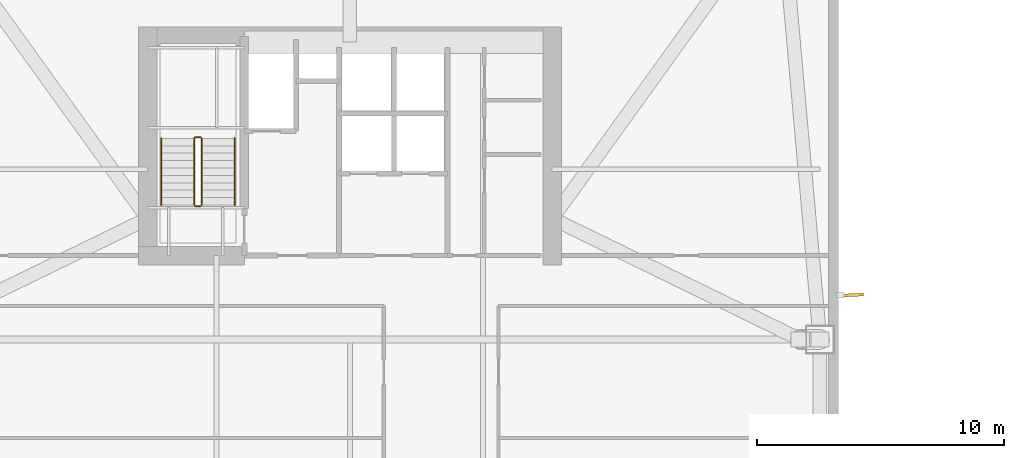
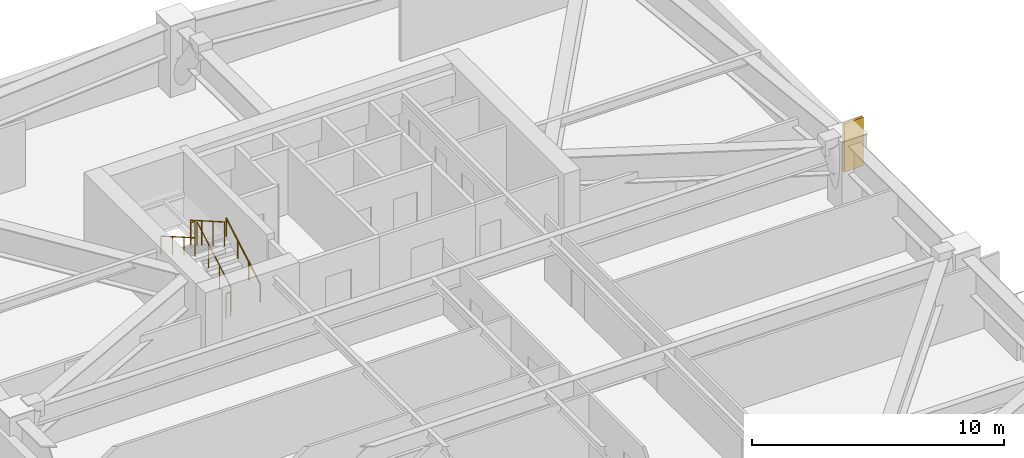
# One storey, part 17 of 19: 6 railings, 1 shading device.
"""IFC4 building model written with IfcOpenShell, lengths in metres."""

from ifc_helpers import new_model, si_unit, direction, frame, origin, origin_2d, place, context, subcontext, project, spatial, rectangle, circle, extrude, material, layer, layer_set, type_object, element, save


model = new_model("IFC4")

# Units and contexts
model_context = context("Model", 3, precision=1e-05, world=origin(), true_north=direction((0.0, 1.0)))
body_context = subcontext(model_context, "Body", "Model", "MODEL_VIEW")
ifc_project = project(units=[si_unit("LENGTHUNIT", "METRE"), si_unit("AREAUNIT", "SQUARE_METRE"), si_unit("VOLUMEUNIT", "CUBIC_METRE"), si_unit("PLANEANGLEUNIT", "RADIAN"), si_unit("MASSUNIT", "GRAM", prefix="KILO")], contexts=[model_context])

# Site, building, storey
site_placement = place(None, origin())
site = spatial("IfcSite", under=ifc_project, at=site_placement, CompositionType="ELEMENT")
building_placement = place(site_placement, origin())
building = spatial("IfcBuilding", under=site, at=building_placement, Name="Qiaolan Cultural Towers", CompositionType="ELEMENT")
storey_placement = place(building_placement, frame((0.0, 0.0, 88.550048828125)))
storey = spatial("IfcBuildingStorey", under=building, at=storey_placement, Name="L22", CompositionType="ELEMENT", Elevation=88.550048828125)

# Railings
ifc_material_1 = material(Name="Galvanized Painted Steel Stair Guardrail", Category="steel")
railing_type_1 = type_object("IfcRailingType", Name="RL-STAIR-GRD", PredefinedType="GUARDRAIL", material=ifc_material_1)
railing_1_placement = place(storey_placement, frame((23.989990234375, 48.449951171875, 0.17236328125)))
element("IfcRailing", 1, at=railing_1_placement, inside=storey, type_object=railing_type_1, Name="L22 ST-W2 stair guard 1", PredefinedType="GUARDRAIL", context=body_context, shape_type="SweptSolid", body=[
    extrude(circle(Radius=0.02392578125, at=origin_2d()), frame((0.0, 0.0, 1.17578125), z_axis=(0.0, 0.866903762492, 0.498475542607), x_axis=(-1.0, 0.0, 0.0)), (0.0, 0.0, 1.0), 3.114501953125),
    extrude(circle(Radius=0.02099609375, at=origin_2d()), origin(), (0.0, 0.0, 1.0), 1.15185546875),
    extrude(circle(Radius=0.02099609375, at=origin_2d()), frame((0.0, 0.89990234375, 0.517578125)), (0.0, 0.0, 1.0), 1.15185546875),
    extrude(circle(Radius=0.02099609375, at=origin_2d()), frame((0.0, 1.800048828125, 1.034912109375)), (0.0, 0.0, 1.0), 1.15185546875),
    extrude(circle(Radius=0.02099609375, at=origin_2d()), frame((0.0, 2.699951171875, 1.552490234375)), (0.0, 0.0, 1.0), 1.15185546875),
])
railing_2_placement = place(storey_placement, frame((23.93994140625, 51.199951171875, 1.724853515625)))
element("IfcRailing", 2, at=railing_2_placement, inside=storey, type_object=railing_type_1, Name="L22 ST-W2 stair guard 2", PredefinedType="GUARDRAIL", context=body_context, shape_type="SweptSolid", body=[
    extrude(circle(Radius=0.02392578125, at=origin_2d()), frame((0.0, 0.0, 1.17578125), z_axis=(-1.0, 0.0, 0.0), x_axis=(0.0, -1.0, 0.0)), (0.0, 0.0, 1.0), 0.199951171875),
    extrude(circle(Radius=0.02099609375, at=origin_2d()), origin(), (0.0, 0.0, 1.0), 1.15185546875),
    extrude(circle(Radius=0.02099609375, at=origin_2d()), frame((-0.199951171875, 0.0, 0.0)), (0.0, 0.0, 1.0), 1.15185546875),
])
railing_3_placement = place(storey_placement, frame((23.68994140625, 51.14990234375, 1.8974609375)))
element("IfcRailing", 3, at=railing_3_placement, inside=storey, type_object=railing_type_1, Name="L22 ST-W2 stair guard 3", PredefinedType="GUARDRAIL", context=body_context, shape_type="SweptSolid", body=[
    extrude(circle(Radius=0.02392578125, at=origin_2d()), frame((0.0, 0.0, 1.17578125), z_axis=(0.0, -0.866903762492, 0.498475542607), x_axis=(1.0, 0.0, 0.0)), (0.0, 0.0, 1.0), 3.114501953125),
    extrude(circle(Radius=0.02099609375, at=origin_2d()), origin(), (0.0, 0.0, 1.0), 1.15185546875),
    extrude(circle(Radius=0.02099609375, at=origin_2d()), frame((0.0, -0.89990234375, 0.517578125)), (0.0, 0.0, 1.0), 1.15185546875),
    extrude(circle(Radius=0.02099609375, at=origin_2d()), frame((0.0, -1.800048828125, 1.034912109375)), (0.0, 0.0, 1.0), 1.15185546875),
    extrude(circle(Radius=0.02099609375, at=origin_2d()), frame((0.0, -2.699951171875, 1.552490234375)), (0.0, 0.0, 1.0), 1.15185546875),
])
railing_4_placement = place(storey_placement, frame((23.93994140625, 48.39990234375, 0.0)))
element("IfcRailing", 4, at=railing_4_placement, inside=storey, type_object=railing_type_1, Name="L22 ST-W2 stair guard 4", PredefinedType="GUARDRAIL", context=body_context, shape_type="SweptSolid", body=[
    extrude(circle(Radius=0.02392578125, at=origin_2d()), frame((0.0, 0.0, 1.17578125), z_axis=(-1.0, 0.0, 0.0), x_axis=(0.0, -1.0, 0.0)), (0.0, 0.0, 1.0), 0.199951171875),
    extrude(circle(Radius=0.02099609375, at=origin_2d()), origin(), (0.0, 0.0, 1.0), 1.15185546875),
    extrude(circle(Radius=0.02099609375, at=origin_2d()), frame((-0.199951171875, 0.0, 0.0)), (0.0, 0.0, 1.0), 1.15185546875),
])
ifc_material_2 = material(Name="Stainless Steel S30408 Tubular Handrail", Category="steel")
railing_type_2 = type_object("IfcRailingType", Name="RL-STAIR-HR", PredefinedType="HANDRAIL", material=ifc_material_2)
railing_5_placement = place(storey_placement, frame((25.330078125, 48.449951171875, 0.17236328125)))
element("IfcRailing", 5, at=railing_5_placement, inside=storey, type_object=railing_type_2, Name="L22 ST-W2 stair handrail 1", PredefinedType="HANDRAIL", context=body_context, shape_type="SweptSolid", body=[
    extrude(circle(Radius=0.02392578125, at=origin_2d()), frame((0.0, 0.0, 0.8759765625), z_axis=(0.0, 0.866903762492, 0.498475542607), x_axis=(-1.0, 0.0, 0.0)), (0.0, 0.0, 1.0), 3.114501953125),
    extrude(circle(Radius=0.02099609375, at=origin_2d()), origin(), (0.0, 0.0, 1.0), 0.851806640625),
    extrude(circle(Radius=0.02099609375, at=origin_2d()), frame((0.0, 0.89990234375, 0.517578125)), (0.0, 0.0, 1.0), 0.851806640625),
    extrude(circle(Radius=0.02099609375, at=origin_2d()), frame((0.0, 1.800048828125, 1.034912109375)), (0.0, 0.0, 1.0), 0.851806640625),
    extrude(circle(Radius=0.02099609375, at=origin_2d()), frame((0.0, 2.699951171875, 1.552490234375)), (0.0, 0.0, 1.0), 0.851806640625),
])
railing_6_placement = place(storey_placement, frame((22.35009765625, 51.14990234375, 1.8974609375)))
element("IfcRailing", 6, at=railing_6_placement, inside=storey, type_object=railing_type_2, Name="L22 ST-W2 stair handrail 2", PredefinedType="HANDRAIL", context=body_context, shape_type="SweptSolid", body=[
    extrude(circle(Radius=0.02392578125, at=origin_2d()), frame((0.0, 0.0, 0.8759765625), z_axis=(0.0, -0.866903762492, 0.498475542607), x_axis=(1.0, 0.0, 0.0)), (0.0, 0.0, 1.0), 3.114501953125),
    extrude(circle(Radius=0.02099609375, at=origin_2d()), origin(), (0.0, 0.0, 1.0), 0.851806640625),
    extrude(circle(Radius=0.02099609375, at=origin_2d()), frame((0.0, -0.89990234375, 0.517578125)), (0.0, 0.0, 1.0), 0.851806640625),
    extrude(circle(Radius=0.02099609375, at=origin_2d()), frame((0.0, -1.800048828125, 1.034912109375)), (0.0, 0.0, 1.0), 0.851806640625),
    extrude(circle(Radius=0.02099609375, at=origin_2d()), frame((0.0, -2.699951171875, 1.552490234375)), (0.0, 0.0, 1.0), 0.851806640625),
])

# Shading device
ifc_material_3 = material(Name="Dark Basalt Honed Precast Terracotta Fin", Category="masonry")
ifc_layer = layer(ifc_material_3, 0.1201171875)
ifc_layer_set = layer_set([ifc_layer], Name="Dark Basalt Honed Precast Terracotta Fin")
shading_device_type = type_object("IfcShadingDeviceType", Name="SHD-FIN-DARK", PredefinedType="USERDEFINED", material=ifc_layer_set)
shading_device_placement = place(storey_placement, frame((50.360107421875, 44.800048828125, 0.099853515625), z_axis=(0.0, 0.0, 1.0), x_axis=(0.998966827039, 0.045445335018, 0.0)))
element("IfcShadingDevice", 7, at=shading_device_placement, inside=storey, type_object=shading_device_type, Name="L22 T1 Expressive Precast Vertical Fin E3", ObjectType="FIN", PredefinedType="USERDEFINED", context=body_context, shape_type="SweptSolid", body=[
    extrude(rectangle(XDim=0.89990234375, YDim=0.1201171875, at=origin_2d()), origin(), (0.0, 0.0, 1.0), 2.35009765625),
])

save(model, "model.ifc")
